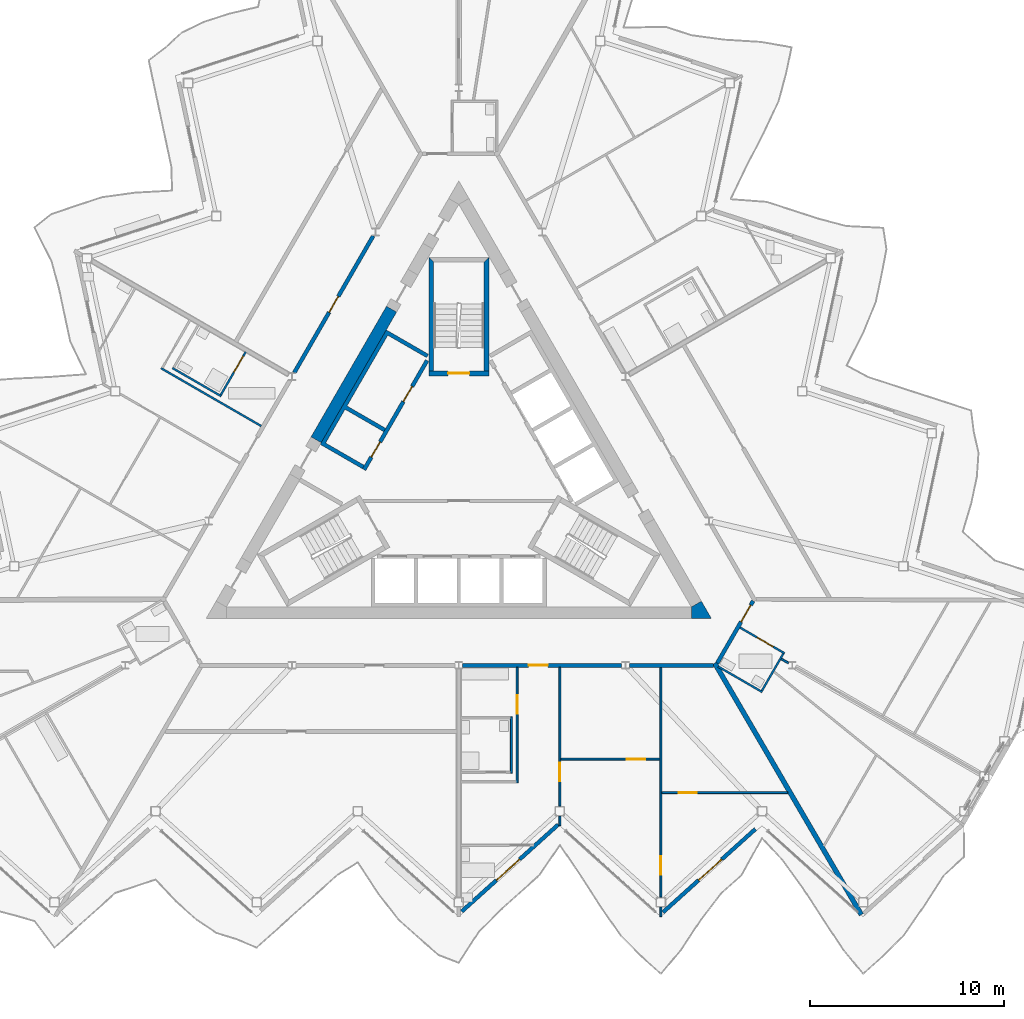
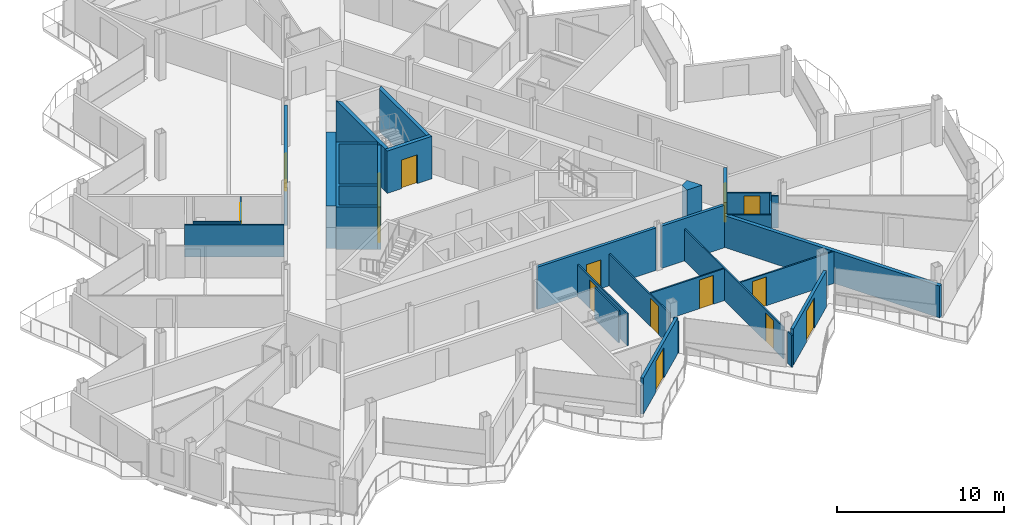
# One storey, part 14 of 26: 29 walls, 15 doors, 15 openings.
"""IFC4 building model written with IfcOpenShell, lengths in metres."""

from ifc_helpers import new_model, si_unit, direction, frame, frame_2d, origin, place, context, subcontext, project, spatial, polyline, rectangle, outline, extrude, material, layer, layer_set, type_object, element, fill, save


model = new_model("IFC4")

# Units and contexts
model_context = context("Model", 3, precision=1e-05, world=origin(), true_north=direction((0.0, 1.0)))
body_context = subcontext(model_context, "Body", "Model", "MODEL_VIEW")
ifc_project = project(units=[si_unit("LENGTHUNIT", "METRE"), si_unit("AREAUNIT", "SQUARE_METRE"), si_unit("VOLUMEUNIT", "CUBIC_METRE"), si_unit("PLANEANGLEUNIT", "RADIAN"), si_unit("MASSUNIT", "GRAM", prefix="KILO")], contexts=[model_context])

# Site, building, storey
site_placement = place(None, origin())
site = spatial("IfcSite", under=ifc_project, at=site_placement, CompositionType="ELEMENT")
building_placement = place(site_placement, origin())
building = spatial("IfcBuilding", under=site, at=building_placement, Name="Cormorant Prow Tower", CompositionType="ELEMENT")
storey_placement = place(building_placement, frame((0.0, 0.0, 367.800048828125)))
storey = spatial("IfcBuildingStorey", under=building, at=storey_placement, Name="L82", CompositionType="ELEMENT", Elevation=367.800048828125)

# Walls
ifc_material_1 = material(Name="Concrete 8000 psi", Category="concrete")
ifc_layer_1 = layer(ifc_material_1, 0.60009765625)
ifc_layer_set_1 = layer_set([ifc_layer_1], Name="Concrete 8000 psi")
wall_type_1 = type_object("IfcWallType", Name="Core shear wall 600", PredefinedType="SHEAR", material=ifc_layer_set_1)
wall_1_placement = place(storey_placement, frame((-3.460693359375, 8.416748046875, 0.0), z_axis=(0.0, 0.0, 1.0), x_axis=(-0.50000391502, -0.866023143435, 0.0)))
element("IfcWall", 1, at=wall_1_placement, inside=storey, type_object=wall_type_1, Name="Core wall", PredefinedType="SHEAR", context=body_context, shape_type="SweptSolid", body=[
    extrude(rectangle(XDim=7.7587890625, YDim=0.60009765625, at=frame_2d((3.87939453125, 0.0))), origin(), (0.0, 0.0, 1.0), 3.099853515625),
])
wall_2_placement = place(storey_placement, origin())
element("IfcWall", 2, at=wall_2_placement, inside=storey, type_object=wall_type_1, Name="Core wall corner", PredefinedType="SHEAR", context=body_context, shape_type="SweptSolid", body=[
    extrude(outline(polyline([(11.960693359375, -7.505615234375), (11.960693359375, -6.905517578125), (12.48046875, -6.605712890625), (13.0, -7.505615234375), (11.960693359375, -7.505615234375)])), origin(), (0.0, 0.0, 1.0), 3.099853515625),
])

# Wall, opening, door
ifc_material_2 = material(Name="Gypsum board corridor wall")
ifc_layer_2 = layer(ifc_material_2, 0.199951171875)
ifc_layer_set_2 = layer_set([ifc_layer_2], Name="Gypsum board corridor wall")
wall_type_2 = type_object("IfcWallType", Name="Corridor wall 200", PredefinedType="PARTITIONING", material=ifc_layer_set_2)
wall_3_placement = place(storey_placement, frame((0.197021484375, -9.905517578125, 0.0), z_axis=(0.0, 0.0, 1.0), x_axis=(1.0, 0.0, 0.0)))
wall_3 = element("IfcWall", 3, at=wall_3_placement, inside=storey, type_object=wall_type_2, Name="Corridor wall", PredefinedType="PARTITIONING", context=body_context, shape_type="SweptSolid", body=[
    extrude(rectangle(XDim=8.1845703125, YDim=0.199951171875, at=frame_2d((4.09228515625, 0.0))), origin(), (0.0, 0.0, 1.0), 3.099853515625),
])
opening_1_placement = place(wall_3_placement, frame((3.3896484375, 0.0, 0.0)))
opening_1 = element("IfcOpeningElement", 4, at=opening_1_placement, cuts=wall_3, Name="Opening L82-F03", PredefinedType="OPENING", context=body_context, shape_type="SweptSolid", body=[
    extrude(rectangle(XDim=1.0, YDim=2.10009765625, at=frame_2d((0.5, 1.050048828125))), frame((0.0, 0.10986328125, 0.0), z_axis=(0.0, -1.0, 0.0), x_axis=(1.0, 0.0, 0.0)), (0.0, 0.0, 1.0), 0.219970703125),
])
ifc_material_3 = material(Name="Timber door leaf", Category="wood")
door_type_1 = type_object("IfcDoorType", Name="Flat or room entrance door 1000x2100", OperationType="NOTDEFINED", PredefinedType="DOOR", material=ifc_material_3)
door_1_placement = place(opening_1_placement, origin())
door_1 = element("IfcDoor", 5, at=door_1_placement, inside=storey, type_object=door_type_1, Name="Living room door", OperationType="SINGLE_SWING_LEFT", OverallHeight=2.10009765625, OverallWidth=1.0, PredefinedType="DOOR", context=body_context, shape_type="SweptSolid", body=[
    extrude(rectangle(XDim=1.0, YDim=2.10009765625, at=frame_2d((0.5, 1.050048828125))), frame((0.0, 0.02490234375, 0.0), z_axis=(0.0, -1.0, 0.0), x_axis=(1.0, 0.0, 0.0)), (0.0, 0.0, 1.0), 0.050048828125),
])
fill(opening_1, door_1)

wall_4_placement = place(storey_placement, frame((-8.464599609375, 5.14990234375, 0.0), z_axis=(0.0, 0.0, 1.0), x_axis=(0.499992155518, 0.866029932751, 0.0)))
wall_4 = element("IfcWall", 6, at=wall_4_placement, inside=storey, type_object=wall_type_2, Name="Corridor wall", PredefinedType="PARTITIONING", context=body_context, shape_type="SweptSolid", body=[
    extrude(rectangle(XDim=8.123291015625, YDim=0.199951171875, at=frame_2d((4.0615234375, 0.0))), origin(), (0.0, 0.0, 1.0), 3.099853515625),
])
opening_2_placement = place(wall_4_placement, frame((3.586669921875, 0.0, 0.0)))
opening_2 = element("IfcOpeningElement", 7, at=opening_2_placement, cuts=wall_4, Name="Opening L82-F35", PredefinedType="OPENING", context=body_context, shape_type="SweptSolid", body=[
    extrude(rectangle(XDim=0.949951171875, YDim=2.10009765625, at=frame_2d((0.47509765625, 1.050048828125))), frame((0.0, 0.10986328125, 0.0), z_axis=(0.0, -1.0, 0.0), x_axis=(1.0, 0.0, 0.0)), (0.0, 0.0, 1.0), 0.219970703125),
])
ifc_material_4 = material(Name="Timber door leaf", Category="wood")
door_type_2 = type_object("IfcDoorType", Name="Store door 950x2100", OperationType="NOTDEFINED", PredefinedType="DOOR", material=ifc_material_4)
door_2_placement = place(opening_2_placement, origin())
door_2 = element("IfcDoor", 8, at=door_2_placement, inside=storey, type_object=door_type_2, Name="Refuse room door", OperationType="SINGLE_SWING_LEFT", OverallHeight=2.10009765625, OverallWidth=0.949951171875, PredefinedType="DOOR", context=body_context, shape_type="SweptSolid", body=[
    extrude(rectangle(XDim=0.949951171875, YDim=2.10009765625, at=frame_2d((0.47509765625, 1.050048828125))), frame((0.0, 0.02490234375, 0.0), z_axis=(0.0, -1.0, 0.0), x_axis=(1.0, 0.0, 0.0)), (0.0, 0.0, 1.0), 0.050048828125),
])
fill(opening_2, door_2)

# Wall
wall_5_placement = place(storey_placement, frame((8.775390625, -9.905517578125, 0.0), z_axis=(0.0, 0.0, 1.0), x_axis=(1.0, 0.0, 0.0)))
element("IfcWall", 9, at=wall_5_placement, inside=storey, type_object=wall_type_2, Name="Corridor wall", PredefinedType="PARTITIONING", context=body_context, shape_type="SweptSolid", body=[
    extrude(rectangle(XDim=4.33056640625, YDim=0.199951171875, at=frame_2d((2.165283203125, 0.0))), origin(), (0.0, 0.0, 1.0), 3.099853515625),
])

# Wall, opening, door
wall_6_placement = place(storey_placement, frame((13.29345703125, -9.79736328125, 0.0), z_axis=(0.0, 0.0, 1.0), x_axis=(0.499977520935, 0.86603838169, 0.0)))
wall_6 = element("IfcWall", 10, at=wall_6_placement, inside=storey, type_object=wall_type_2, Name="Corridor wall", PredefinedType="PARTITIONING", context=body_context, shape_type="SweptSolid", body=[
    extrude(rectangle(XDim=3.700927734375, YDim=0.199951171875, at=frame_2d((1.8505859375, 0.0))), origin(), (0.0, 0.0, 1.0), 3.099853515625),
])
opening_3_placement = place(wall_6_placement, frame((2.450927734375, 0.0, 0.0)))
opening_3 = element("IfcOpeningElement", 11, at=opening_3_placement, cuts=wall_6, Name="Opening L82-F11", PredefinedType="OPENING", context=body_context, shape_type="SweptSolid", body=[
    extrude(rectangle(XDim=1.0, YDim=2.10009765625, at=frame_2d((0.5, 1.050048828125))), frame((0.0, 0.10986328125, 0.0), z_axis=(0.0, -1.0, 0.0), x_axis=(1.0, 0.0, 0.0)), (0.0, 0.0, 1.0), 0.219970703125),
])
door_3_placement = place(opening_3_placement, origin())
door_3 = element("IfcDoor", 12, at=door_3_placement, inside=storey, type_object=door_type_1, Name="Living room door", OperationType="SINGLE_SWING_RIGHT", OverallHeight=2.10009765625, OverallWidth=1.0, PredefinedType="DOOR", context=body_context, shape_type="SweptSolid", body=[
    extrude(rectangle(XDim=1.0, YDim=2.10009765625, at=frame_2d((0.5, 1.050048828125))), frame((0.0, 0.02490234375, 0.0), z_axis=(0.0, -1.0, 0.0), x_axis=(1.0, 0.0, 0.0)), (0.0, 0.0, 1.0), 0.050048828125),
])
fill(opening_3, door_3)

ifc_material_5 = material(Name="Gypsum board partition")
ifc_layer_3 = layer(ifc_material_5, 0.10009765625)
ifc_layer_set_3 = layer_set([ifc_layer_3], Name="Gypsum board partition")
wall_type_3 = type_object("IfcWallType", Name="Internal partition 100", PredefinedType="PARTITIONING", material=ifc_layer_set_3)
wall_7_placement = place(storey_placement, frame((10.39990234375, -21.827880859375, 0.0), z_axis=(0.0, 0.0, 1.0), x_axis=(0.0, 1.0, 0.0)))
wall_7 = element("IfcWall", 13, at=wall_7_placement, inside=storey, type_object=wall_type_3, Name="Internal partition", PredefinedType="PARTITIONING", context=body_context, shape_type="SweptSolid", body=[
    extrude(rectangle(XDim=11.822265625, YDim=0.10009765625, at=frame_2d((5.9111328125, 0.0))), origin(), (0.0, 0.0, 1.0), 2.330078125),
])
opening_4_placement = place(wall_7_placement, frame((1.15625, 0.0, 0.0)))
opening_4 = element("IfcOpeningElement", 14, at=opening_4_placement, cuts=wall_7, Name="Opening L82-F08", PredefinedType="OPENING", context=body_context, shape_type="SweptSolid", body=[
    extrude(rectangle(XDim=0.949951171875, YDim=2.10009765625, at=frame_2d((0.47509765625, 1.050048828125))), frame((0.0, 0.06005859375, 0.0), z_axis=(0.0, -1.0, 0.0), x_axis=(1.0, 0.0, 0.0)), (0.0, 0.0, 1.0), 0.1201171875),
])
ifc_material_6 = material(Name="Timber door leaf", Category="wood")
door_type_3 = type_object("IfcDoorType", Name="Bathroom door 950x2100", OperationType="NOTDEFINED", PredefinedType="DOOR", material=ifc_material_6)
door_4_placement = place(opening_4_placement, origin())
door_4 = element("IfcDoor", 15, at=door_4_placement, inside=storey, type_object=door_type_3, Name="Bedroom door", OperationType="SINGLE_SWING_LEFT", OverallHeight=2.10009765625, OverallWidth=0.949951171875, PredefinedType="DOOR", context=body_context, shape_type="SweptSolid", body=[
    extrude(rectangle(XDim=0.949951171875, YDim=2.10009765625, at=frame_2d((0.47509765625, 1.050048828125))), frame((0.0, 0.02490234375, 0.0), z_axis=(0.0, -1.0, 0.0), x_axis=(1.0, 0.0, 0.0)), (0.0, 0.0, 1.0), 0.050048828125),
])
fill(opening_4, door_4)

wall_8_placement = place(storey_placement, frame((5.199951171875, -17.145751953125, 0.0), z_axis=(0.0, 0.0, 1.0), x_axis=(0.0, 1.0, 0.0)))
wall_8 = element("IfcWall", 16, at=wall_8_placement, inside=storey, type_object=wall_type_3, Name="Internal partition", PredefinedType="PARTITIONING", context=body_context, shape_type="SweptSolid", body=[
    extrude(rectangle(XDim=7.14013671875, YDim=0.10009765625, at=frame_2d((3.570068359375, 0.0))), origin(), (0.0, 0.0, 1.0), 2.330078125),
])
opening_5_placement = place(wall_8_placement, frame((1.26611328125, 0.0, 0.0)))
opening_5 = element("IfcOpeningElement", 17, at=opening_5_placement, cuts=wall_8, Name="Opening L82-F06", PredefinedType="OPENING", context=body_context, shape_type="SweptSolid", body=[
    extrude(rectangle(XDim=0.949951171875, YDim=2.10009765625, at=frame_2d((0.47509765625, 1.050048828125))), frame((0.0, 0.06005859375, 0.0), z_axis=(0.0, -1.0, 0.0), x_axis=(1.0, 0.0, 0.0)), (0.0, 0.0, 1.0), 0.1201171875),
])
door_5_placement = place(opening_5_placement, origin())
door_5 = element("IfcDoor", 18, at=door_5_placement, inside=storey, type_object=door_type_3, Name="Living room door", OperationType="SINGLE_SWING_RIGHT", OverallHeight=2.10009765625, OverallWidth=0.949951171875, PredefinedType="DOOR", context=body_context, shape_type="SweptSolid", body=[
    extrude(rectangle(XDim=0.949951171875, YDim=2.10009765625, at=frame_2d((0.47509765625, 1.050048828125))), frame((0.0, 0.02490234375, 0.0), z_axis=(0.0, -1.0, 0.0), x_axis=(1.0, 0.0, 0.0)), (0.0, 0.0, 1.0), 0.050048828125),
])
fill(opening_5, door_5)

wall_9_placement = place(storey_placement, frame((10.449951171875, -16.452880859375, 0.0), z_axis=(0.0, 0.0, 1.0), x_axis=(1.0, 0.0, 0.0)))
wall_9 = element("IfcWall", 19, at=wall_9_placement, inside=storey, type_object=wall_type_3, Name="Internal partition", PredefinedType="PARTITIONING", context=body_context, shape_type="SweptSolid", body=[
    extrude(rectangle(XDim=6.472900390625, YDim=0.10009765625, at=frame_2d((3.236328125, 0.0))), origin(), (0.0, 0.0, 1.0), 2.330078125),
])
opening_6_placement = place(wall_9_placement, frame((0.852783203125, 0.0, 0.0)))
opening_6 = element("IfcOpeningElement", 20, at=opening_6_placement, cuts=wall_9, Name="Opening L82-F09", PredefinedType="OPENING", context=body_context, shape_type="SweptSolid", body=[
    extrude(rectangle(XDim=0.949951171875, YDim=2.10009765625, at=frame_2d((0.47509765625, 1.050048828125))), frame((0.0, 0.06005859375, 0.0), z_axis=(0.0, -1.0, 0.0), x_axis=(1.0, 0.0, 0.0)), (0.0, 0.0, 1.0), 0.1201171875),
])
door_6_placement = place(opening_6_placement, origin())
door_6 = element("IfcDoor", 21, at=door_6_placement, inside=storey, type_object=door_type_3, Name="Bedroom door", OperationType="SINGLE_SWING_LEFT", OverallHeight=2.10009765625, OverallWidth=0.949951171875, PredefinedType="DOOR", context=body_context, shape_type="SweptSolid", body=[
    extrude(rectangle(XDim=0.949951171875, YDim=2.10009765625, at=frame_2d((0.47509765625, 1.050048828125))), frame((0.0, 0.02490234375, 0.0), z_axis=(0.0, -1.0, 0.0), x_axis=(1.0, 0.0, 0.0)), (0.0, 0.0, 1.0), 0.050048828125),
])
fill(opening_6, door_6)

wall_10_placement = place(storey_placement, frame((3.0, -15.95556640625, 0.0), z_axis=(0.0, 0.0, 1.0), x_axis=(0.0, 1.0, 0.0)))
wall_10 = element("IfcWall", 22, at=wall_10_placement, inside=storey, type_object=wall_type_3, Name="Internal partition", PredefinedType="PARTITIONING", context=body_context, shape_type="SweptSolid", body=[
    extrude(rectangle(XDim=5.949951171875, YDim=0.10009765625, at=frame_2d((2.97509765625, 0.0))), origin(), (0.0, 0.0, 1.0), 2.330078125),
])
opening_7_placement = place(wall_10_placement, frame((3.550048828125, 0.0, 0.0)))
opening_7 = element("IfcOpeningElement", 23, at=opening_7_placement, cuts=wall_10, Name="Opening L82-F05", PredefinedType="OPENING", context=body_context, shape_type="SweptSolid", body=[
    extrude(rectangle(XDim=0.949951171875, YDim=2.10009765625, at=frame_2d((0.47509765625, 1.050048828125))), frame((0.0, 0.06005859375, 0.0), z_axis=(0.0, -1.0, 0.0), x_axis=(1.0, 0.0, 0.0)), (0.0, 0.0, 1.0), 0.1201171875),
])
door_7_placement = place(opening_7_placement, origin())
door_7 = element("IfcDoor", 24, at=door_7_placement, inside=storey, type_object=door_type_3, Name="Living room door", OperationType="SINGLE_SWING_LEFT", OverallHeight=2.10009765625, OverallWidth=0.949951171875, PredefinedType="DOOR", context=body_context, shape_type="SweptSolid", body=[
    extrude(rectangle(XDim=0.949951171875, YDim=2.10009765625, at=frame_2d((0.47509765625, 1.050048828125))), frame((0.0, 0.02490234375, 0.0), z_axis=(0.0, -1.0, 0.0), x_axis=(1.0, 0.0, 0.0)), (0.0, 0.0, 1.0), 0.050048828125),
])
fill(opening_7, door_7)

# Wall
wall_11_placement = place(storey_placement, frame((-15.31787109375, 5.379638671875, 0.0), z_axis=(0.0, 0.0, 1.0), x_axis=(0.866035260786, -0.499982926783, 0.0)))
element("IfcWall", 25, at=wall_11_placement, inside=storey, type_object=wall_type_3, Name="Internal partition", PredefinedType="PARTITIONING", context=body_context, shape_type="SweptSolid", body=[
    extrude(rectangle(XDim=5.949951171875, YDim=0.10009765625, at=frame_2d((2.97509765625, 0.0))), origin(), (0.0, 0.0, 1.0), 2.330078125),
])

# Wall, opening, door
wall_12_placement = place(storey_placement, frame((5.25, -14.729248046875, 0.0), z_axis=(0.0, 0.0, 1.0), x_axis=(1.0, 0.0, 0.0)))
wall_12 = element("IfcWall", 26, at=wall_12_placement, inside=storey, type_object=wall_type_3, Name="Internal partition", PredefinedType="PARTITIONING", context=body_context, shape_type="SweptSolid", body=[
    extrude(rectangle(XDim=5.10009765625, YDim=0.10009765625, at=frame_2d((2.550048828125, 0.0))), origin(), (0.0, 0.0, 1.0), 2.330078125),
])
opening_8_placement = place(wall_12_placement, frame((3.39306640625, 0.0, 0.0)))
opening_8 = element("IfcOpeningElement", 27, at=opening_8_placement, cuts=wall_12, Name="Opening L82-F07", PredefinedType="OPENING", context=body_context, shape_type="SweptSolid", body=[
    extrude(rectangle(XDim=0.949951171875, YDim=2.10009765625, at=frame_2d((0.47509765625, 1.050048828125))), frame((0.0, 0.06005859375, 0.0), z_axis=(0.0, -1.0, 0.0), x_axis=(1.0, 0.0, 0.0)), (0.0, 0.0, 1.0), 0.1201171875),
])
door_8_placement = place(opening_8_placement, origin())
door_8 = element("IfcDoor", 28, at=door_8_placement, inside=storey, type_object=door_type_3, Name="Bedroom door", OperationType="SINGLE_SWING_RIGHT", OverallHeight=2.10009765625, OverallWidth=0.949951171875, PredefinedType="DOOR", context=body_context, shape_type="SweptSolid", body=[
    extrude(rectangle(XDim=0.949951171875, YDim=2.10009765625, at=frame_2d((0.47509765625, 1.050048828125))), frame((0.0, 0.02490234375, 0.0), z_axis=(0.0, -1.0, 0.0), x_axis=(1.0, 0.0, 0.0)), (0.0, 0.0, 1.0), 0.050048828125),
])
fill(opening_8, door_8)

# Walls
for number, where, z_axis, x_axis, name in (
    (29, (-14.73486328125, 5.389404296875, 0.0), (0.0, 0.0, 1.0), (0.866032775405, -0.499987231761, 0.0), "Internal partition"),
    (30, (2.699951171875, -15.45556640625, 0.0), (0.0, 0.0, 1.0), (0.0, 1.0, 0.0), "Internal partition"),
):
    element("IfcWall", number, at=place(storey_placement, frame(where, z_axis=z_axis, x_axis=x_axis)), inside=storey, type_object=wall_type_3, Name=name, PredefinedType="PARTITIONING", context=body_context, shape_type="SweptSolid", body=[
        extrude(rectangle(XDim=2.89990234375, YDim=0.10009765625, at=frame_2d((1.449951171875, 0.0))), origin(), (0.0, 0.0, 1.0), 2.330078125),
    ])

# Wall, opening, door
wall_13_placement = place(storey_placement, frame((-12.24169921875, 4.0078125, 0.0), z_axis=(0.0, 0.0, 1.0), x_axis=(0.499948979701, 0.866054858364, 0.0)))
wall_13 = element("IfcWall", 31, at=wall_13_placement, inside=storey, type_object=wall_type_3, Name="Internal partition", PredefinedType="PARTITIONING", context=body_context, shape_type="SweptSolid", body=[
    extrude(rectangle(XDim=2.550048828125, YDim=0.10009765625, at=frame_2d((1.27490234375, 0.0))), origin(), (0.0, 0.0, 1.0), 2.330078125),
])
opening_9_placement = place(wall_13_placement, frame((1.35009765625, 0.0, 0.0)))
opening_9 = element("IfcOpeningElement", 32, at=opening_9_placement, cuts=wall_13, Name="Opening L82-F44", PredefinedType="OPENING", context=body_context, shape_type="SweptSolid", body=[
    extrude(rectangle(XDim=0.949951171875, YDim=2.10009765625, at=frame_2d((0.47509765625, 1.050048828125))), frame((0.0, 0.06005859375, 0.0), z_axis=(0.0, -1.0, 0.0), x_axis=(1.0, 0.0, 0.0)), (0.0, 0.0, 1.0), 0.1201171875),
])
door_9_placement = place(opening_9_placement, origin())
door_9 = element("IfcDoor", 33, at=door_9_placement, inside=storey, type_object=door_type_3, Name="Kitchen door", OperationType="SINGLE_SWING_RIGHT", OverallHeight=2.10009765625, OverallWidth=0.949951171875, PredefinedType="DOOR", context=body_context, shape_type="SweptSolid", body=[
    extrude(rectangle(XDim=0.949951171875, YDim=2.10009765625, at=frame_2d((0.47509765625, 1.050048828125))), frame((0.0, 0.02490234375, 0.0), z_axis=(0.0, -1.0, 0.0), x_axis=(1.0, 0.0, 0.0)), (0.0, 0.0, 1.0), 0.050048828125),
])
fill(opening_9, door_9)

wall_14_placement = place(storey_placement, frame((14.46728515625, -7.963623046875, 0.0), z_axis=(0.0, 0.0, 1.0), x_axis=(0.86601223543, -0.500022807565, 0.0)))
wall_14 = element("IfcWall", 34, at=wall_14_placement, inside=storey, type_object=wall_type_3, Name="Internal partition", PredefinedType="PARTITIONING", context=body_context, shape_type="SweptSolid", body=[
    extrude(rectangle(XDim=2.650390625, YDim=0.10009765625, at=frame_2d((1.3251953125, 0.0))), origin(), (0.0, 0.0, 1.0), 2.330078125),
])
opening_10_placement = place(wall_14_placement, frame((1.013671875, 0.0, 0.0)))
opening_10 = element("IfcOpeningElement", 35, at=opening_10_placement, cuts=wall_14, Name="Opening L82-F12", PredefinedType="OPENING", context=body_context, shape_type="SweptSolid", body=[
    extrude(rectangle(XDim=0.949951171875, YDim=2.10009765625, at=frame_2d((0.47509765625, 1.050048828125))), frame((0.0, 0.06005859375, 0.0), z_axis=(0.0, -1.0, 0.0), x_axis=(1.0, 0.0, 0.0)), (0.0, 0.0, 1.0), 0.1201171875),
])
door_10_placement = place(opening_10_placement, origin())
door_10 = element("IfcDoor", 36, at=door_10_placement, inside=storey, type_object=door_type_3, Name="Living room door", OperationType="SINGLE_SWING_RIGHT", OverallHeight=2.10009765625, OverallWidth=0.949951171875, PredefinedType="DOOR", context=body_context, shape_type="SweptSolid", body=[
    extrude(rectangle(XDim=0.949951171875, YDim=2.10009765625, at=frame_2d((0.47509765625, 1.050048828125))), frame((0.0, 0.02490234375, 0.0), z_axis=(0.0, -1.0, 0.0), x_axis=(1.0, 0.0, 0.0)), (0.0, 0.0, 1.0), 0.050048828125),
])
fill(opening_10, door_10)

# Walls
wall_15_placement = place(storey_placement, frame((13.339111328125, -9.968017578125, 0.0), z_axis=(0.0, 0.0, 1.0), x_axis=(0.866013657776, -0.500020344131, 0.0)))
element("IfcWall", 37, at=wall_15_placement, inside=storey, type_object=wall_type_3, Name="Internal partition", PredefinedType="PARTITIONING", context=body_context, shape_type="SweptSolid", body=[
    extrude(rectangle(XDim=2.625, YDim=0.10009765625, at=frame_2d((1.3125, 0.0))), origin(), (0.0, 0.0, 1.0), 2.330078125),
])
wall_16_placement = place(storey_placement, frame((15.593994140625, -11.21240234375, 0.0), z_axis=(0.0, 0.0, 1.0), x_axis=(0.499981787252, 0.866035918664, 0.0)))
element("IfcWall", 38, at=wall_16_placement, inside=storey, type_object=wall_type_3, Name="Internal partition", PredefinedType="PARTITIONING", context=body_context, shape_type="SweptSolid", body=[
    extrude(rectangle(XDim=2.2001953125, YDim=0.10009765625, at=frame_2d((1.10009765625, 0.0))), origin(), (0.0, 0.0, 1.0), 2.330078125),
])
for number, where, z_axis, x_axis, name in (
    (39, (10.39990234375, -22.83935546875, 0.0), (0.0, 0.0, 1.0), (0.0, 1.0, 0.0), "Internal partition"),
    (40, (5.199951171875, -18.1572265625, 0.0), (0.0, 0.0, 1.0), (0.0, 1.0, 0.0), "Internal partition"),
):
    element("IfcWall", number, at=place(storey_placement, frame(where, z_axis=z_axis, x_axis=x_axis)), inside=storey, type_object=wall_type_3, Name=name, PredefinedType="PARTITIONING", context=body_context, shape_type="SweptSolid", body=[
        extrude(rectangle(XDim=0.491455078125, YDim=0.10009765625, at=frame_2d((0.24560546875, 0.0))), origin(), (0.0, 0.0, 1.0), 2.330078125),
    ])
wall_17_placement = place(storey_placement, frame((16.593994140625, -9.58056640625, 0.0), z_axis=(0.0, 0.0, 1.0), x_axis=(0.866137484628, -0.499805820016, 0.0)))
element("IfcWall", 41, at=wall_17_placement, inside=storey, type_object=wall_type_3, Name="Internal partition", PredefinedType="PARTITIONING", context=body_context, shape_type="SweptSolid", body=[
    extrude(rectangle(XDim=0.422607421875, YDim=0.10009765625, at=frame_2d((0.21142578125, 0.0))), origin(), (0.0, 0.0, 1.0), 2.330078125),
])

# Wall, openings, doors
ifc_material_7 = material(Name="Concrete 5000 psi", Category="concrete")
ifc_layer_4 = layer(ifc_material_7, 0.199951171875)
ifc_layer_set_4 = layer_set([ifc_layer_4], Name="Concrete 5000 psi")
wall_type_4 = type_object("IfcWallType", Name="Lift lobby wall 200", PredefinedType="SOLIDWALL", material=ifc_layer_set_4)
wall_18_placement = place(storey_placement, frame((-1.630615234375, 5.775634765625, 0.0), z_axis=(0.0, 0.0, 1.0), x_axis=(-0.499992876559, -0.866029516466, 0.0)))
wall_18 = element("IfcWall", 42, at=wall_18_placement, inside=storey, type_object=wall_type_4, Name="Lift lobby wall, WNW block", PredefinedType="SOLIDWALL", context=body_context, shape_type="SweptSolid", body=[
    extrude(rectangle(XDim=6.486328125, YDim=0.199951171875, at=frame_2d((3.2431640625, 0.0))), origin(), (0.0, 0.0, 1.0), 3.099853515625),
])
opening_11_placement = place(wall_18_placement, frame((1.53662109375, 0.0, 0.0)))
opening_11 = element("IfcOpeningElement", 43, at=opening_11_placement, cuts=wall_18, Name="Opening L82-C09", PredefinedType="OPENING", context=body_context, shape_type="SweptSolid", body=[
    extrude(rectangle(XDim=0.89990234375, YDim=2.10009765625, at=frame_2d((0.449951171875, 1.050048828125))), frame((0.0, 0.10986328125, 0.0), z_axis=(0.0, -1.0, 0.0), x_axis=(1.0, 0.0, 0.0)), (0.0, 0.0, 1.0), 0.219970703125),
])
opening_12_placement = place(wall_18_placement, frame((4.836669921875, 0.0, 0.0)))
opening_12 = element("IfcOpeningElement", 44, at=opening_12_placement, cuts=wall_18, Name="Opening L82-C10", PredefinedType="OPENING", context=body_context, shape_type="SweptSolid", body=[
    extrude(rectangle(XDim=0.89990234375, YDim=2.10009765625, at=frame_2d((0.449951171875, 1.050048828125))), frame((0.0, 0.10986328125, 0.0), z_axis=(0.0, -1.0, 0.0), x_axis=(1.0, 0.0, 0.0)), (0.0, 0.0, 1.0), 0.219970703125),
])
ifc_material_8 = material(Name="Painted steel", Category="steel")
door_type_4 = type_object("IfcDoorType", Name="Service door 900x2100", OperationType="NOTDEFINED", PredefinedType="DOOR", material=ifc_material_8)
door_11_placement = place(opening_11_placement, origin())
door_11 = element("IfcDoor", 45, at=door_11_placement, inside=storey, type_object=door_type_4, Name="Service door, Telecom room", OperationType="SINGLE_SWING_LEFT", OverallHeight=2.10009765625, OverallWidth=0.89990234375, PredefinedType="DOOR", context=body_context, shape_type="SweptSolid", body=[
    extrude(rectangle(XDim=0.89990234375, YDim=2.10009765625, at=frame_2d((0.449951171875, 1.050048828125))), frame((0.0, 0.02490234375, 0.0), z_axis=(0.0, -1.0, 0.0), x_axis=(1.0, 0.0, 0.0)), (0.0, 0.0, 1.0), 0.050048828125),
])
fill(opening_11, door_11)
door_12_placement = place(opening_12_placement, origin())
door_12 = element("IfcDoor", 46, at=door_12_placement, inside=storey, type_object=door_type_4, Name="Service door, Electrical room", OperationType="SINGLE_SWING_LEFT", OverallHeight=2.10009765625, OverallWidth=0.89990234375, PredefinedType="DOOR", context=body_context, shape_type="SweptSolid", body=[
    extrude(rectangle(XDim=0.89990234375, YDim=2.10009765625, at=frame_2d((0.449951171875, 1.050048828125))), frame((0.0, 0.02490234375, 0.0), z_axis=(0.0, -1.0, 0.0), x_axis=(1.0, 0.0, 0.0)), (0.0, 0.0, 1.0), 0.050048828125),
])
fill(opening_12, door_12)

# Walls
ifc_material_9 = material(Name="Concrete 8000 psi", Category="concrete")
ifc_layer_5 = layer(ifc_material_9, 0.199951171875)
ifc_layer_set_5 = layer_set([ifc_layer_5], Name="Concrete 8000 psi")
wall_type_5 = type_object("IfcWallType", Name="Lift shaft wall 200", PredefinedType="SHEAR", material=ifc_layer_set_5)
wall_19_placement = place(storey_placement, origin())
element("IfcWall", 47, at=wall_19_placement, inside=storey, type_object=wall_type_5, Name="Lift shaft walls, WNW block", PredefinedType="SHEAR", context=body_context, shape_type="SweptSolid", body=[
    extrude(outline(polyline([(-4.96044921875, 0.2080078125), (-7.130859375, 1.461181640625), (-3.730712890625, 7.35009765625), (-1.560546875, 6.09716796875), (-1.660400390625, 5.923828125), (-3.65234375, 7.073974609375), (-5.75244140625, 3.4365234375), (-3.760498046875, 2.28662109375), (-3.860595703125, 2.11328125), (-5.852294921875, 3.263427734375), (-6.852294921875, 1.53125), (-4.860595703125, 0.38134765625), (-4.96044921875, 0.2080078125)])), origin(), (0.0, 0.0, 1.0), 3.099853515625),
])
ifc_material_10 = material(Name="Concrete 8000 psi", Category="concrete")
ifc_layer_6 = layer(ifc_material_10, 0.25)
ifc_layer_set_6 = layer_set([ifc_layer_6], Name="Concrete 8000 psi")
wall_type_6 = type_object("IfcWallType", Name="Stair wall 250", PredefinedType="SHEAR", material=ifc_layer_set_6)
wall_20_placement = place(storey_placement, origin())
element("IfcWall", 48, at=wall_20_placement, inside=storey, type_object=wall_type_6, Name="Stair ST3 enclosure wall (flank)", PredefinedType="SHEAR", context=body_context, shape_type="SweptSolid", body=[
    extrude(outline(polyline([(1.5439453125, 5.23681640625), (1.5439453125, 11.0869140625), (1.2939453125, 10.8369140625), (1.2939453125, 5.23681640625), (1.5439453125, 5.23681640625)])), origin(), (0.0, 0.0, 1.0), 3.099853515625),
])
wall_21_placement = place(storey_placement, origin())
element("IfcWall", 49, at=wall_21_placement, inside=storey, type_object=wall_type_6, Name="Stair ST3 enclosure wall (flank)", PredefinedType="SHEAR", context=body_context, shape_type="SweptSolid", body=[
    extrude(outline(polyline([(-1.2939453125, 10.8369140625), (-1.5439453125, 11.0869140625), (-1.5439453125, 5.23681640625), (-1.2939453125, 5.23681640625), (-1.2939453125, 10.8369140625)])), origin(), (0.0, 0.0, 1.0), 3.099853515625),
])

# Wall, opening, door
wall_22_placement = place(storey_placement, frame((1.5439453125, 5.11181640625, 0.0), z_axis=(0.0, 0.0, 1.0), x_axis=(-1.0, 0.0, 0.0)))
wall_22 = element("IfcWall", 50, at=wall_22_placement, inside=storey, type_object=wall_type_6, Name="Stair ST3 door wall", PredefinedType="SHEAR", context=body_context, shape_type="SweptSolid", body=[
    extrude(rectangle(XDim=3.087890625, YDim=0.25, at=frame_2d((1.5439453125, 0.0))), origin(), (0.0, 0.0, 1.0), 3.099853515625),
])
opening_13_placement = place(wall_22_placement, frame((0.993896484375, 0.0, 0.0)))
opening_13 = element("IfcOpeningElement", 51, at=opening_13_placement, cuts=wall_22, Name="Opening L82-C14", PredefinedType="OPENING", context=body_context, shape_type="SweptSolid", body=[
    extrude(rectangle(XDim=1.10009765625, YDim=2.10009765625, at=frame_2d((0.550048828125, 1.050048828125))), frame((0.0, 0.135009765625, 0.0), z_axis=(0.0, -1.0, 0.0), x_axis=(1.0, 0.0, 0.0)), (0.0, 0.0, 1.0), 0.27001953125),
])
ifc_material_11 = material(Name="Painted steel", Category="steel")
door_type_5 = type_object("IfcDoorType", Name="Stair door 1100x2100", OperationType="NOTDEFINED", PredefinedType="DOOR", material=ifc_material_11)
door_13_placement = place(opening_13_placement, origin())
door_13 = element("IfcDoor", 52, at=door_13_placement, inside=storey, type_object=door_type_5, Name="Stair ST3 door", OperationType="SINGLE_SWING_RIGHT", OverallHeight=2.10009765625, OverallWidth=1.10009765625, PredefinedType="DOOR", context=body_context, shape_type="SweptSolid", body=[
    extrude(rectangle(XDim=1.10009765625, YDim=2.10009765625, at=frame_2d((0.550048828125, 1.050048828125))), frame((0.0, 0.02490234375, 0.0), z_axis=(0.0, -1.0, 0.0), x_axis=(1.0, 0.0, 0.0)), (0.0, 0.0, 1.0), 0.050048828125),
])
fill(opening_13, door_13)

# Wall
ifc_material_12 = material(Name="Acoustic gypsum party wall")
ifc_layer_7 = layer(ifc_material_12, 0.25)
ifc_layer_set_7 = layer_set([ifc_layer_7], Name="Acoustic gypsum party wall")
wall_type_7 = type_object("IfcWallType", Name="Suite party wall 250", PredefinedType="PARTITIONING", material=ifc_layer_set_7)
wall_23_placement = place(storey_placement, frame((13.16796875, -9.797607421875, 0.0), z_axis=(0.0, 0.0, 1.0), x_axis=(0.503632750219, -0.863917850786, 0.0)))
element("IfcWall", 53, at=wall_23_placement, inside=storey, type_object=wall_type_7, Name="Suite party wall", PredefinedType="PARTITIONING", context=body_context, shape_type="SweptSolid", body=[
    extrude(rectangle(XDim=14.97216796875, YDim=0.25, at=frame_2d((7.486083984375, 0.0))), origin(), (0.0, 0.0, 1.0), 2.330078125),
])

# Wall, opening, door
ifc_material_13 = material(Name="Terracotta", Category="masonry")
ifc_layer_8 = layer(ifc_material_13, 0.199951171875)
ifc_layer_set_8 = layer_set([ifc_layer_8], Name="Terracotta")
wall_type_8 = type_object("IfcWallType", Name="Terracotta jamb wall 200", PredefinedType="SOLIDWALL", material=ifc_layer_set_8)
wall_24_placement = place(storey_placement, frame((0.153564453125, -22.566650390625, 0.0), z_axis=(0.0, 0.0, 1.0), x_axis=(0.743150529995, 0.669124270796, 0.0)))
wall_24 = element("IfcWall", 54, at=wall_24_placement, inside=storey, type_object=wall_type_8, Name="Terracotta jamb wall S05", PredefinedType="SOLIDWALL", context=body_context, shape_type="SweptSolid", body=[
    extrude(rectangle(XDim=6.678466796875, YDim=0.199951171875, at=frame_2d((3.33935546875, 0.0))), origin(), (0.0, 0.0, 1.0), 2.6337890625),
])
opening_14_placement = place(wall_24_placement, frame((2.402099609375, 0.0, 0.0)))
opening_14 = element("IfcOpeningElement", 55, at=opening_14_placement, cuts=wall_24, Name="Opening ED82.03", PredefinedType="OPENING", context=body_context, shape_type="SweptSolid", body=[
    extrude(rectangle(XDim=1.60009765625, YDim=2.25, at=frame_2d((0.800048828125, 1.125))), frame((0.0, 0.10986328125, 0.0), z_axis=(0.0, -1.0, 0.0), x_axis=(1.0, 0.0, 0.0)), (0.0, 0.0, 1.0), 0.219970703125),
])
ifc_material_14 = material(Name="Aluminium 6063-T6", Category="aluminium")
door_type_6 = type_object("IfcDoorType", Name="Balcony door 1600x2250", OperationType="DOUBLE_DOOR_SINGLE_SWING", PredefinedType="DOOR", material=ifc_material_14)
door_14_placement = place(opening_14_placement, origin())
door_14 = element("IfcDoor", 56, at=door_14_placement, inside=storey, type_object=door_type_6, Name="Balcony door S05 ED82.03", OperationType="DOUBLE_DOOR_SINGLE_SWING", OverallHeight=2.25, OverallWidth=1.60009765625, PredefinedType="DOOR", context=body_context, shape_type="SweptSolid", body=[
    extrude(rectangle(XDim=1.60009765625, YDim=2.25, at=frame_2d((0.800048828125, 1.125))), frame((0.0, 0.02490234375, 0.0), z_axis=(0.0, -1.0, 0.0), x_axis=(1.0, 0.0, 0.0)), (0.0, 0.0, 1.0), 0.050048828125),
])
fill(opening_14, door_14)

wall_25_placement = place(storey_placement, frame((10.50341796875, -22.611572265625, 0.0), z_axis=(0.0, 0.0, 1.0), x_axis=(0.743148117717, 0.669126949939, 0.0)))
wall_25 = element("IfcWall", 57, at=wall_25_placement, inside=storey, type_object=wall_type_8, Name="Terracotta jamb wall S07", PredefinedType="SOLIDWALL", context=body_context, shape_type="SweptSolid", body=[
    extrude(rectangle(XDim=6.40185546875, YDim=0.199951171875, at=frame_2d((3.200927734375, 0.0))), origin(), (0.0, 0.0, 1.0), 2.6337890625),
])
opening_15_placement = place(wall_25_placement, frame((2.46923828125, 0.0, 0.0)))
opening_15 = element("IfcOpeningElement", 58, at=opening_15_placement, cuts=wall_25, Name="Opening ED82.04", PredefinedType="OPENING", context=body_context, shape_type="SweptSolid", body=[
    extrude(rectangle(XDim=1.60009765625, YDim=2.25, at=frame_2d((0.800048828125, 1.125))), frame((0.0, 0.10986328125, 0.0), z_axis=(0.0, -1.0, 0.0), x_axis=(1.0, 0.0, 0.0)), (0.0, 0.0, 1.0), 0.219970703125),
])
door_15_placement = place(opening_15_placement, origin())
door_15 = element("IfcDoor", 59, at=door_15_placement, inside=storey, type_object=door_type_6, Name="Balcony door S07 ED82.04", OperationType="DOUBLE_DOOR_SINGLE_SWING", OverallHeight=2.25, OverallWidth=1.60009765625, PredefinedType="DOOR", context=body_context, shape_type="SweptSolid", body=[
    extrude(rectangle(XDim=1.60009765625, YDim=2.25, at=frame_2d((0.800048828125, 1.125))), frame((0.0, 0.02490234375, 0.0), z_axis=(0.0, -1.0, 0.0), x_axis=(1.0, 0.0, 0.0)), (0.0, 0.0, 1.0), 0.050048828125),
])
fill(opening_15, door_15)

save(model, "model.ifc")
